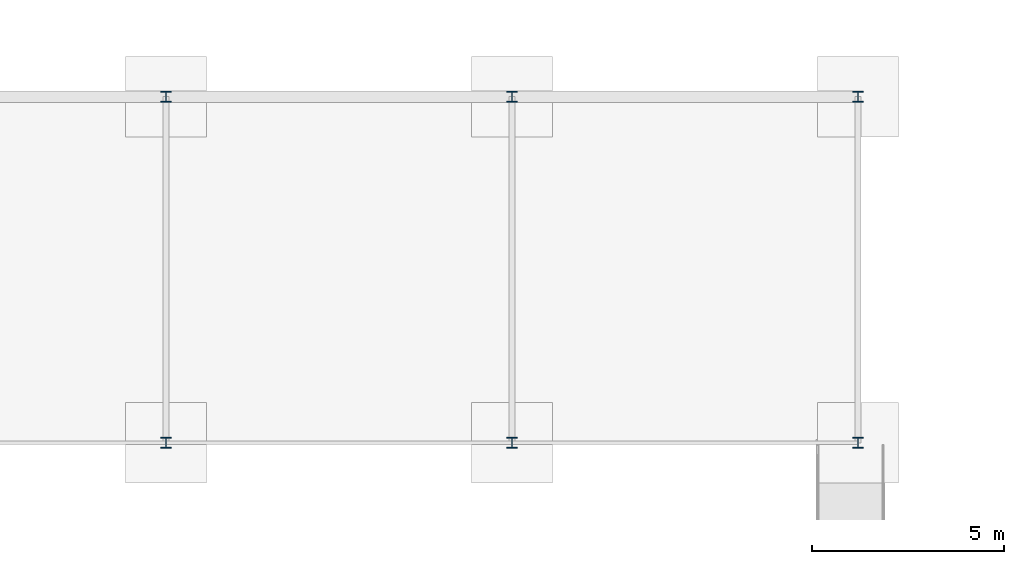
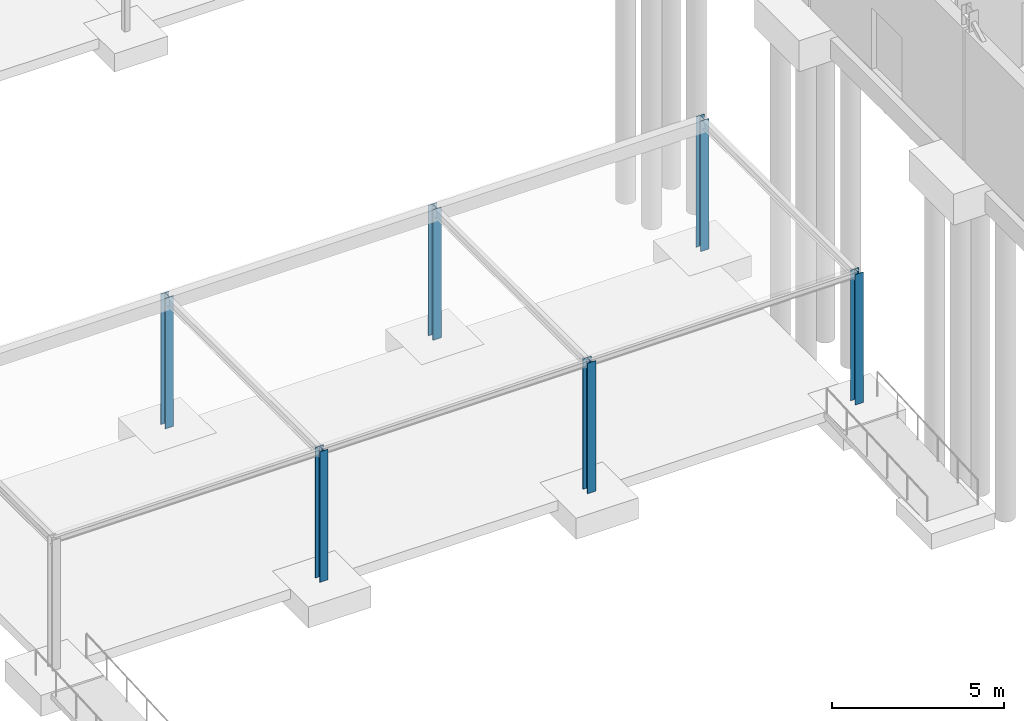
# One storey, part 19 of 118: 6 columns.
"""IFC4 building model written with IfcOpenShell, lengths in metres."""

from ifc_helpers import new_model, si_unit, direction, frame, origin, origin_2d, place, context, subcontext, project, spatial, i_section, extrude, material, material_profile, profile_set, type_object, element, save


model = new_model("IFC4")

# Units and contexts
model_context = context("Model", 3, precision=1e-05, world=origin(), true_north=direction((0.0, 1.0)))
body_context = subcontext(model_context, "Body", "Model", "MODEL_VIEW")
ifc_project = project(units=[si_unit("LENGTHUNIT", "METRE"), si_unit("AREAUNIT", "SQUARE_METRE"), si_unit("VOLUMEUNIT", "CUBIC_METRE"), si_unit("PLANEANGLEUNIT", "RADIAN"), si_unit("MASSUNIT", "GRAM", prefix="KILO")], contexts=[model_context])

# Site, building, storey
site_placement = place(None, origin())
site = spatial("IfcSite", under=ifc_project, at=site_placement, CompositionType="ELEMENT")
building_placement = place(site_placement, origin())
building = spatial("IfcBuilding", under=site, at=building_placement, Name="Kildeholm Park Wholesale Market", CompositionType="ELEMENT")
storey_placement = place(building_placement, origin())
storey = spatial("IfcBuildingStorey", under=building, at=storey_placement, Name="L00", CompositionType="ELEMENT", Elevation=0.0)

# Columns
ifc_material = material(Name="Steel S355", Category="steel")
ifc_material_profile = material_profile(ifc_material, i_section(OverallWidth=0.280029296875, OverallDepth=0.280029296875, WebThickness=0.010498046875, FlangeThickness=0.01806640625, FilletRadius=0.02392578125, at=origin_2d()), Name="HEB 280")
ifc_profile_set = profile_set([ifc_material_profile], Name="Steel S355")
column_type = type_object("IfcColumnType", Name="Column C-S02 HEB 280", PredefinedType="COLUMN", material=ifc_profile_set)
for number, where, z_axis, x_axis, name in (
    (1, (99.0, 0.0, 0.0), (0.0, 0.0, 1.0), (1.0, 0.0, 0.0), "Entrance canopy column 099-000 COL-0906"),
    (2, (99.0, 9.0, 0.0), (0.0, 0.0, 1.0), (1.0, 0.0, 0.0), "Entrance canopy column 099-009 COL-0907"),
    (3, (108.0, 0.0, 0.0), (0.0, 0.0, 1.0), (1.0, 0.0, 0.0), "Entrance canopy column 108-000 COL-0908"),
    (4, (108.0, 9.0, 0.0), (0.0, 0.0, 1.0), (1.0, 0.0, 0.0), "Entrance canopy column 108-009 COL-0909"),
    (5, (117.0, 0.0, 0.0), (0.0, 0.0, 1.0), (1.0, 0.0, 0.0), "Entrance canopy column 117-000 COL-0910"),
    (6, (117.0, 9.0, 0.0), (0.0, 0.0, 1.0), (1.0, 0.0, 0.0), "Entrance canopy column 117-009 COL-0911"),
):
    element("IfcColumn", number, at=place(storey_placement, frame(where, z_axis=z_axis, x_axis=x_axis)), inside=storey, type_object=column_type, Name=name, PredefinedType="COLUMN", context=body_context, shape_type="SweptSolid", body=[
        extrude(i_section(OverallWidth=0.280029296875, OverallDepth=0.280029296875, WebThickness=0.010498046875, FlangeThickness=0.01806640625, FilletRadius=0.02392578125, at=origin_2d()), origin(), (0.0, 0.0, 1.0), 4.639892578125),
    ])

save(model, "model.ifc")
